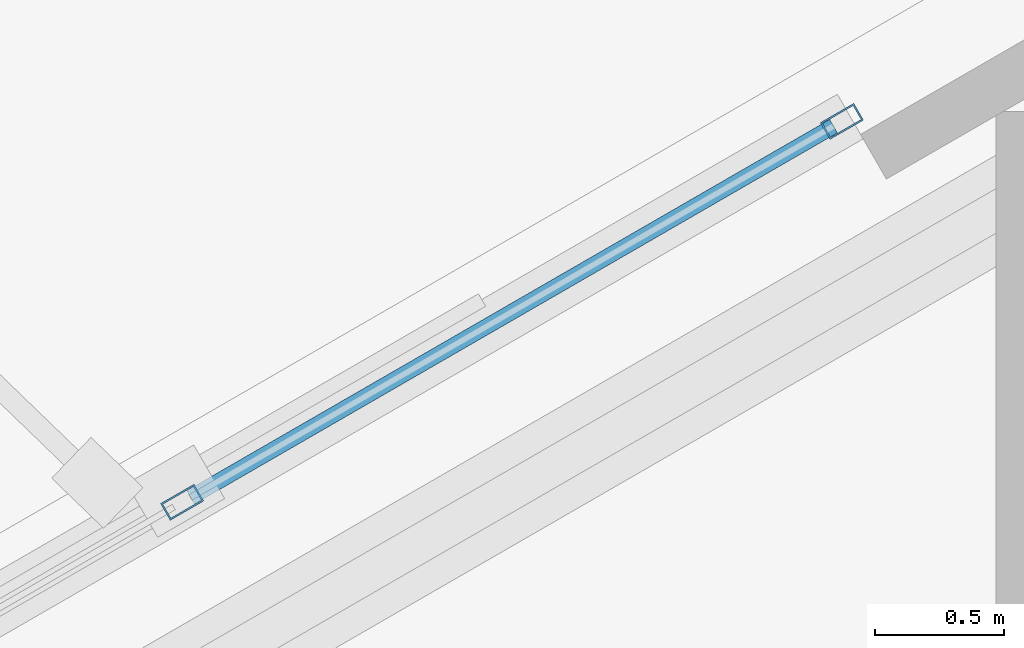
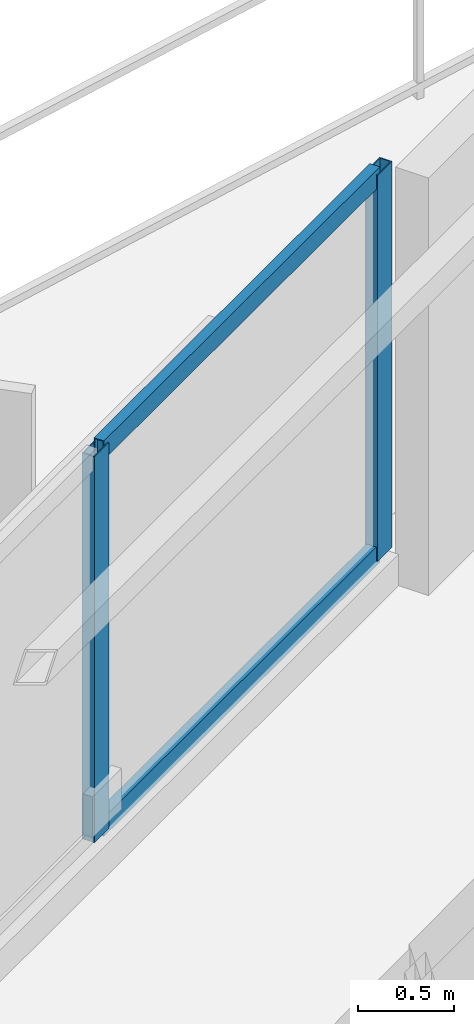
# One storey, part 9 of 19: 4 members, 1 element without a shape of its own.
"""IFC4 building model written with IfcOpenShell, lengths in metres."""

from ifc_helpers import new_model, si_unit, direction, frame, origin, origin_2d, place, context, subcontext, project, spatial, hollow_rectangle, extrude, material, layer, layer_set, material_profile, profile_set, type_object, element, aggregate, save


model = new_model("IFC4")

# Units and contexts
model_context = context("Model", 3, precision=1e-05, world=origin(), true_north=direction((0.0, 1.0)))
body_context = subcontext(model_context, "Body", "Model", "MODEL_VIEW")
ifc_project = project(units=[si_unit("LENGTHUNIT", "METRE"), si_unit("AREAUNIT", "SQUARE_METRE"), si_unit("VOLUMEUNIT", "CUBIC_METRE"), si_unit("PLANEANGLEUNIT", "RADIAN"), si_unit("MASSUNIT", "GRAM", prefix="KILO")], contexts=[model_context])

# Site, building, storey
site_placement = place(None, origin())
site = spatial("IfcSite", under=ifc_project, at=site_placement, CompositionType="ELEMENT")
building_placement = place(site_placement, origin())
building = spatial("IfcBuilding", under=site, at=building_placement, Name="Mersakhor Tower and Convention Hall", CompositionType="ELEMENT")
storey_placement = place(building_placement, frame((0.0, 0.0, 48.89990234375)))
storey = spatial("IfcBuildingStorey", under=building, at=storey_placement, Name="L13", CompositionType="ELEMENT", Elevation=48.89990234375)

# Curtain wall, members
ifc_material_1 = material(Name="Dark solar low-E aluminium curtain wall", Category="aluminium")
ifc_layer = layer(ifc_material_1, 0.159912109375)
ifc_layer_set = layer_set([ifc_layer], Name="Dark solar low-E aluminium curtain wall")
curtain_wall_type = type_object("IfcCurtainWallType", Name="CW-SYS-01", PredefinedType="USERDEFINED", material=ifc_layer_set)
curtain_wall_placement = place(storey_placement, origin())
curtain_wall = element("IfcCurtainWall", 1, at=curtain_wall_placement, inside=storey, type_object=curtain_wall_type, Name="L13 Dark-Glass Curtain Wall F1-B2", ObjectType="CURTAIN WALL", PredefinedType="USERDEFINED")
ifc_material_2 = material(Name="Anodised aluminium EN AW-6063 T6", Category="aluminium")
ifc_material_profile_1 = material_profile(ifc_material_2, hollow_rectangle(XDim=0.074951171875, YDim=0.14990234375, WallThickness=0.00634765625, at=origin_2d()), Name="RHS 150x75x6.3")
ifc_profile_set_1 = profile_set([ifc_material_profile_1], Name="Anodised aluminium EN AW-6063 T6")
member_type_1 = type_object("IfcMemberType", Name="CWM-150x75", PredefinedType="MULLION", material=ifc_profile_set_1)
member_1_placement = place(storey_placement, frame((24.167236328125, 41.107177734375, 0.2001953125), z_axis=(0.0, 0.0, 1.0), x_axis=(-0.50000344889, 0.866023412558, 0.0)))
member_1 = element("IfcMember", 2, at=member_1_placement, type_object=member_type_1, Name="CW-01 mullion 4", PredefinedType="MULLION", context=body_context, shape_type="SweptSolid", body=[
    extrude(hollow_rectangle(XDim=0.074951171875, YDim=0.14990234375, WallThickness=0.00634765625, at=origin_2d()), origin(), (0.0, 0.0, 1.0), 2.4599609375),
])
member_2_placement = place(storey_placement, frame((26.72705078125, 42.5849609375, 0.2001953125), z_axis=(0.0, 0.0, 1.0), x_axis=(-0.50000344889, 0.866023412558, 0.0)))
member_2 = element("IfcMember", 3, at=member_2_placement, type_object=member_type_1, Name="CW-01 mullion 5", PredefinedType="MULLION", context=body_context, shape_type="SweptSolid", body=[
    extrude(hollow_rectangle(XDim=0.074951171875, YDim=0.14990234375, WallThickness=0.00634765625, at=origin_2d()), origin(), (0.0, 0.0, 1.0), 2.4599609375),
])
ifc_material_3 = material(Name="Anodised aluminium EN AW-6063 T6", Category="aluminium")
ifc_material_profile_2 = material_profile(ifc_material_3, hollow_rectangle(XDim=0.06005859375, YDim=0.1201171875, WallThickness=0.0048828125, at=origin_2d()), Name="RHS 120x60x5")
ifc_profile_set_2 = profile_set([ifc_material_profile_2], Name="Anodised aluminium EN AW-6063 T6")
member_type_2 = type_object("IfcMemberType", Name="CWT-120x60", PredefinedType="USERDEFINED", material=ifc_profile_set_2)
member_3_placement = place(storey_placement, frame((24.19970703125, 41.1259765625, 0.22998046875), z_axis=(0.866023290103, 0.500003660985, 0.0), x_axis=(-0.500003660985, 0.866023290103, 0.0)))
member_3 = element("IfcMember", 4, at=member_3_placement, type_object=member_type_2, Name="CW-01 transom 4.1", ObjectType="TRANSOM", PredefinedType="USERDEFINED", context=body_context, shape_type="SweptSolid", body=[
    extrude(hollow_rectangle(XDim=0.06005859375, YDim=0.1201171875, WallThickness=0.0048828125, at=origin_2d()), origin(), (0.0, 0.0, 1.0), 2.880859375),
])
member_4_placement = place(storey_placement, frame((24.19970703125, 41.1259765625, 2.630126953125), z_axis=(0.866023290103, 0.500003660985, 0.0), x_axis=(-0.500003660985, 0.866023290103, 0.0)))
member_4 = element("IfcMember", 5, at=member_4_placement, type_object=member_type_2, Name="CW-01 transom 4.2", ObjectType="TRANSOM", PredefinedType="USERDEFINED", context=body_context, shape_type="SweptSolid", body=[
    extrude(hollow_rectangle(XDim=0.06005859375, YDim=0.1201171875, WallThickness=0.0048828125, at=origin_2d()), origin(), (0.0, 0.0, 1.0), 2.880859375),
])
aggregate(curtain_wall, [member_1, member_2, member_3, member_4])

save(model, "model.ifc")
